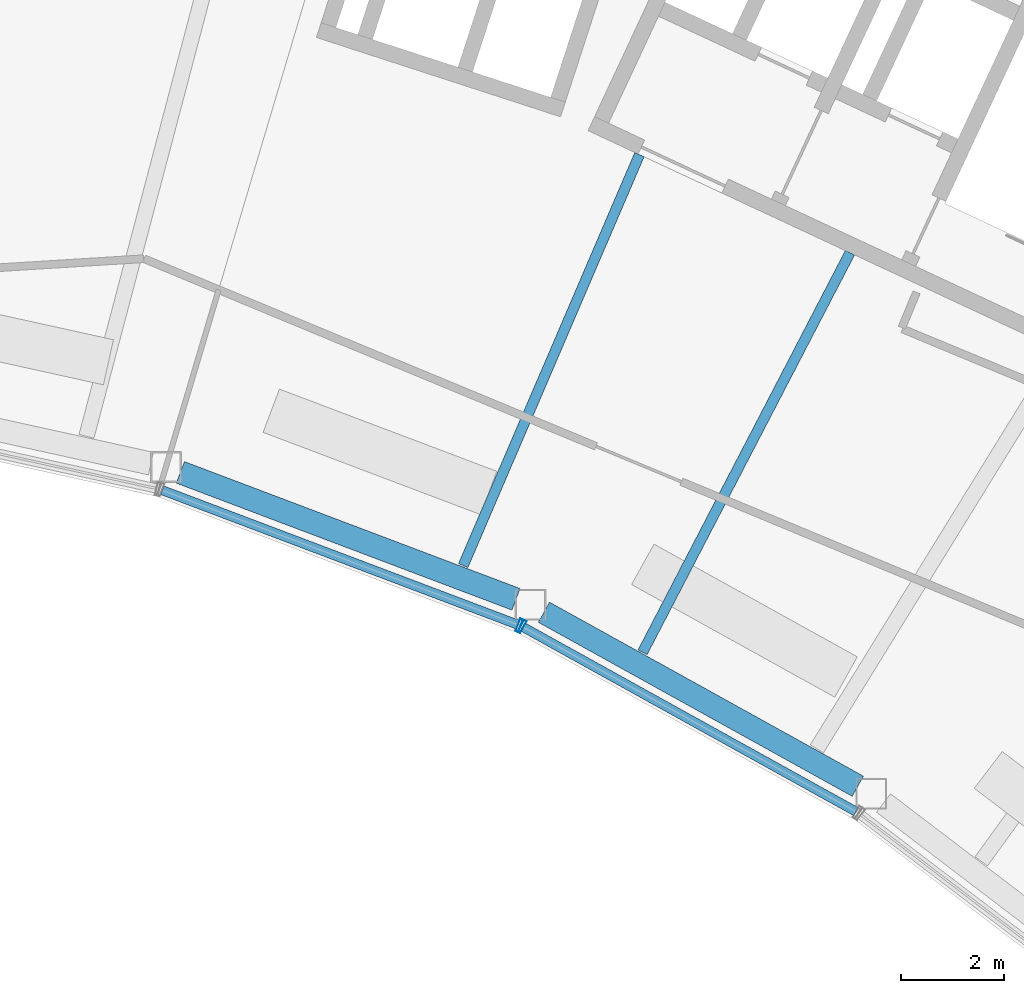
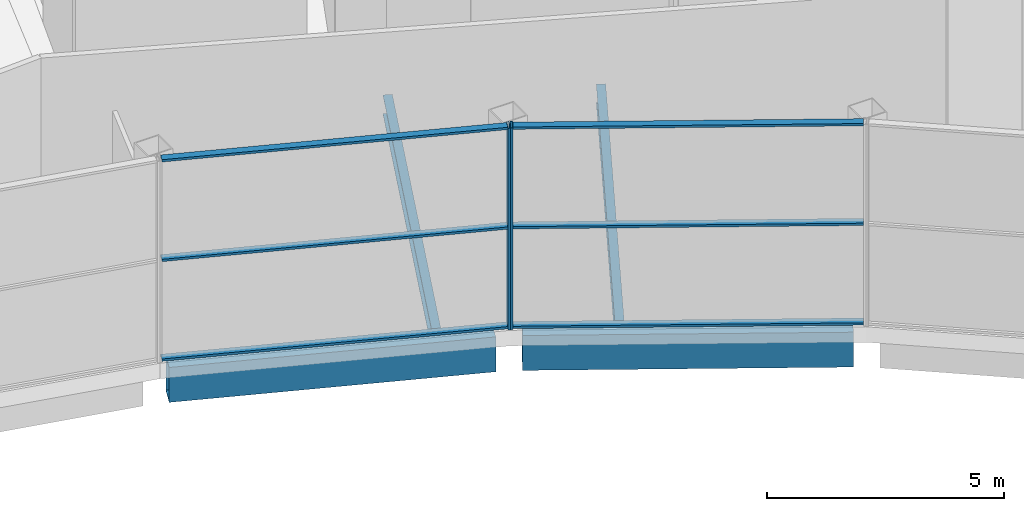
# One storey, part 21 of 44: 8 members, 4 beams, 2 elements without a shape of their own.
"""IFC4 building model written with IfcOpenShell, lengths in metres."""

from ifc_helpers import new_model, si_unit, direction, frame, origin, origin_2d, place, context, subcontext, project, spatial, hollow_rectangle, i_section, extrude, material, layer, layer_set, material_profile, profile_set, type_object, element, aggregate, save


model = new_model("IFC4")

# Units and contexts
model_context = context("Model", 3, precision=1e-05, world=origin(), true_north=direction((0.0, 1.0)))
body_context = subcontext(model_context, "Body", "Model", "MODEL_VIEW")
ifc_project = project(units=[si_unit("LENGTHUNIT", "METRE"), si_unit("AREAUNIT", "SQUARE_METRE"), si_unit("VOLUMEUNIT", "CUBIC_METRE"), si_unit("PLANEANGLEUNIT", "RADIAN"), si_unit("MASSUNIT", "GRAM", prefix="KILO")], contexts=[model_context])

# Site, building, storey
site_placement = place(None, origin())
site = spatial("IfcSite", under=ifc_project, at=site_placement, CompositionType="ELEMENT")
building_placement = place(site_placement, origin())
building = spatial("IfcBuilding", under=site, at=building_placement, Name="Tuul Gate Civic Tower", CompositionType="ELEMENT")
storey_placement = place(building_placement, frame((0.0, 0.0, 354.60009765625)))
storey = spatial("IfcBuildingStorey", under=building, at=storey_placement, Name="Observation level 2", CompositionType="ELEMENT", Elevation=354.60009765625)

# Curtain wall, member
ifc_material_1 = material(Name="Stainless steel", Category="steel")
ifc_layer = layer(ifc_material_1, 0.199951171875)
ifc_layer_set = layer_set([ifc_layer], Name="Stainless steel")
curtain_wall_type = type_object("IfcCurtainWallType", Name="Curtain wall CW4", PredefinedType="NOTDEFINED", material=ifc_layer_set)
curtain_wall_1_placement = place(storey_placement, origin())
curtain_wall_1 = element("IfcCurtainWall", 1, at=curtain_wall_1_placement, inside=storey, type_object=curtain_wall_type, Name="Curtain wall CW4", PredefinedType="NOTDEFINED")
ifc_material_2 = material(Name="Stainless steel", Category="steel")
ifc_material_profile_1 = material_profile(ifc_material_2, hollow_rectangle(XDim=0.260009765625, YDim=0.06005859375, WallThickness=0.006103515625, at=origin_2d()), Name="CW4 mullion")
ifc_profile_set_1 = profile_set([ifc_material_profile_1], Name="Stainless steel")
member_type_1 = type_object("IfcMemberType", Name="CW4 mullion", PredefinedType="MULLION", material=ifc_profile_set_1)
member_1_placement = place(storey_placement, frame((24.06103515625, -12.79443359375, 0.0), z_axis=(0.0, 0.0, 1.0), x_axis=(0.353684769481, 0.935364679597, 0.0)))
member_1 = element("IfcMember", 2, at=member_1_placement, type_object=member_type_1, Name="Mullion", PredefinedType="MULLION", context=body_context, shape_type="SweptSolid", body=[
    extrude(hollow_rectangle(XDim=0.260009765625, YDim=0.06005859375, WallThickness=0.006103515625, at=origin_2d()), origin(), (0.0, 0.0, 1.0), 5.199951171875),
])

curtain_wall_2_placement = place(storey_placement, origin())
curtain_wall_2 = element("IfcCurtainWall", 3, at=curtain_wall_2_placement, inside=storey, type_object=curtain_wall_type, Name="Curtain wall CW4", PredefinedType="NOTDEFINED")
member_2_placement = place(storey_placement, frame((24.115234375, -12.819580078125, 0.0), z_axis=(0.0, 0.0, 1.0), x_axis=(0.48480794476, 0.874620635875, 0.0)))
member_2 = element("IfcMember", 4, at=member_2_placement, type_object=member_type_1, Name="Mullion", PredefinedType="MULLION", context=body_context, shape_type="SweptSolid", body=[
    extrude(hollow_rectangle(XDim=0.260009765625, YDim=0.06005859375, WallThickness=0.006103515625, at=origin_2d()), origin(), (0.0, 0.0, 1.0), 5.199951171875),
])

# Member
ifc_material_3 = material(Name="Stainless steel", Category="steel")
ifc_material_profile_2 = material_profile(ifc_material_3, hollow_rectangle(XDim=0.179931640625, YDim=0.06005859375, WallThickness=0.006103515625, at=origin_2d()), Name="CW4 transom")
ifc_profile_set_2 = profile_set([ifc_material_profile_2], Name="Stainless steel")
member_type_2 = type_object("IfcMemberType", Name="CW4 transom", PredefinedType="USERDEFINED", material=ifc_profile_set_2)
member_3_placement = place(storey_placement, frame((17.105224609375, -10.164306640625, 0.02978515625), z_axis=(0.935372040354, -0.353665302402, 0.0), x_axis=(0.353665302402, 0.935372040354, 0.0)))
member_3 = element("IfcMember", 5, at=member_3_placement, type_object=member_type_2, Name="Transom", ObjectType="TRANSOM", PredefinedType="USERDEFINED", context=body_context, shape_type="SweptSolid", body=[
    extrude(hollow_rectangle(XDim=0.179931640625, YDim=0.06005859375, WallThickness=0.006103515625, at=origin_2d()), origin(), (0.0, 0.0, 1.0), 7.406494140625),
])

member_4_placement = place(storey_placement, frame((17.105224609375, -10.164306640625, 2.599853515625), z_axis=(0.935372040354, -0.353665302402, 0.0), x_axis=(0.353665302402, 0.935372040354, 0.0)))
member_4 = element("IfcMember", 6, at=member_4_placement, type_object=member_type_2, Name="Transom", ObjectType="TRANSOM", PredefinedType="USERDEFINED", context=body_context, shape_type="SweptSolid", body=[
    extrude(hollow_rectangle(XDim=0.179931640625, YDim=0.06005859375, WallThickness=0.006103515625, at=origin_2d()), origin(), (0.0, 0.0, 1.0), 7.406494140625),
])

member_5_placement = place(storey_placement, frame((17.105224609375, -10.164306640625, 5.169921875), z_axis=(0.935372040354, -0.353665302402, 0.0), x_axis=(0.353665302402, 0.935372040354, 0.0)))
member_5 = element("IfcMember", 7, at=member_5_placement, type_object=member_type_2, Name="Transom", ObjectType="TRANSOM", PredefinedType="USERDEFINED", context=body_context, shape_type="SweptSolid", body=[
    extrude(hollow_rectangle(XDim=0.179931640625, YDim=0.06005859375, WallThickness=0.006103515625, at=origin_2d()), origin(), (0.0, 0.0, 1.0), 7.406494140625),
])

aggregate(curtain_wall_1, [member_1, member_3, member_4, member_5])

member_6_placement = place(storey_placement, frame((24.141357421875, -12.833984375, 0.02978515625), z_axis=(0.874627962586, -0.484794726727, 0.0), x_axis=(0.484794726727, 0.874627962586, 0.0)))
member_6 = element("IfcMember", 8, at=member_6_placement, type_object=member_type_2, Name="Transom", ObjectType="TRANSOM", PredefinedType="USERDEFINED", context=body_context, shape_type="SweptSolid", body=[
    extrude(hollow_rectangle(XDim=0.179931640625, YDim=0.06005859375, WallThickness=0.006103515625, at=origin_2d()), origin(), (0.0, 0.0, 1.0), 7.406982421875),
])

member_7_placement = place(storey_placement, frame((24.141357421875, -12.833984375, 2.599853515625), z_axis=(0.874627962586, -0.484794726727, 0.0), x_axis=(0.484794726727, 0.874627962586, 0.0)))
member_7 = element("IfcMember", 9, at=member_7_placement, type_object=member_type_2, Name="Transom", ObjectType="TRANSOM", PredefinedType="USERDEFINED", context=body_context, shape_type="SweptSolid", body=[
    extrude(hollow_rectangle(XDim=0.179931640625, YDim=0.06005859375, WallThickness=0.006103515625, at=origin_2d()), origin(), (0.0, 0.0, 1.0), 7.406982421875),
])

member_8_placement = place(storey_placement, frame((24.141357421875, -12.833984375, 5.169921875), z_axis=(0.874627962586, -0.484794726727, 0.0), x_axis=(0.484794726727, 0.874627962586, 0.0)))
member_8 = element("IfcMember", 10, at=member_8_placement, type_object=member_type_2, Name="Transom", ObjectType="TRANSOM", PredefinedType="USERDEFINED", context=body_context, shape_type="SweptSolid", body=[
    extrude(hollow_rectangle(XDim=0.179931640625, YDim=0.06005859375, WallThickness=0.006103515625, at=origin_2d()), origin(), (0.0, 0.0, 1.0), 7.406982421875),
])

aggregate(curtain_wall_2, [member_2, member_6, member_7, member_8])

# Beams
ifc_material_4 = material(Name="Steel S355", Category="steel")
ifc_material_profile_3 = material_profile(ifc_material_4, i_section(OverallWidth=0.199951171875, OverallDepth=0.5, WebThickness=0.010009765625, FlangeThickness=0.01611328125, at=origin_2d()), Name="PG500x200x10x16")
ifc_profile_set_3 = profile_set([ifc_material_profile_3], Name="Steel S355")
beam_type_1 = type_object("IfcBeamType", Name="STR-FLOOR BEAM-PG500x200x10x16", PredefinedType="BEAM", material=ifc_profile_set_3)
beam_1_placement = place(storey_placement, frame((26.463134765625, -13.32080078125, -0.650146484375), z_axis=(0.460782795667, 0.887512938056, 0.0), x_axis=(-0.887512938056, 0.460782795667, 0.0)))
element("IfcBeam", 11, at=beam_1_placement, inside=storey, type_object=beam_type_1, Name="Floor beam", PredefinedType="BEAM", context=body_context, shape_type="SweptSolid", body=[
    extrude(i_section(OverallWidth=0.199951171875, OverallDepth=0.5, WebThickness=0.010009765625, FlangeThickness=0.01611328125, at=origin_2d()), origin(), (0.0, 0.0, 1.0), 8.768310546875),
])
beam_2_placement = place(storey_placement, frame((22.968505859375, -11.633056640625, -0.650146484375), z_axis=(0.394179708817, 0.91903338196, 0.0), x_axis=(-0.91903338196, 0.394179708817, 0.0)))
element("IfcBeam", 12, at=beam_2_placement, inside=storey, type_object=beam_type_1, Name="Floor beam", PredefinedType="BEAM", context=body_context, shape_type="SweptSolid", body=[
    extrude(i_section(OverallWidth=0.199951171875, OverallDepth=0.5, WebThickness=0.010009765625, FlangeThickness=0.01611328125, at=origin_2d()), origin(), (0.0, 0.0, 1.0), 8.7119140625),
])
ifc_material_5 = material(Name="Steel S355", Category="steel")
ifc_material_profile_4 = material_profile(ifc_material_5, hollow_rectangle(XDim=0.449951171875, YDim=0.89990234375, WallThickness=0.02490234375, at=origin_2d()), Name="BOX900x450x25")
ifc_profile_set_4 = profile_set([ifc_material_profile_4], Name="Steel S355")
beam_type_2 = type_object("IfcBeamType", Name="STR-SPANDREL BEAM-BOX900x450x25", PredefinedType="BEAM", material=ifc_profile_set_4)
beam_3_placement = place(storey_placement, frame((17.45849609375, -9.816162109375, -0.85009765625), z_axis=(0.93532810698, -0.35378147534, 0.0), x_axis=(0.35378147534, 0.93532810698, 0.0)))
element("IfcBeam", 13, at=beam_3_placement, inside=storey, type_object=beam_type_2, Name="Spandrel beam", PredefinedType="BEAM", context=body_context, shape_type="SweptSolid", body=[
    extrude(hollow_rectangle(XDim=0.449951171875, YDim=0.89990234375, WallThickness=0.02490234375, at=origin_2d()), origin(), (0.0, 0.0, 1.0), 6.991943359375),
])
beam_4_placement = place(storey_placement, frame((24.54150390625, -12.54150390625, -0.85009765625), z_axis=(0.874646044716, -0.484762102956, 0.0), x_axis=(0.484762102956, 0.874646044716, 0.0)))
element("IfcBeam", 14, at=beam_4_placement, inside=storey, type_object=beam_type_2, Name="Spandrel beam", PredefinedType="BEAM", context=body_context, shape_type="SweptSolid", body=[
    extrude(hollow_rectangle(XDim=0.449951171875, YDim=0.89990234375, WallThickness=0.02490234375, at=origin_2d()), origin(), (0.0, 0.0, 1.0), 6.991455078125),
])

save(model, "model.ifc")
